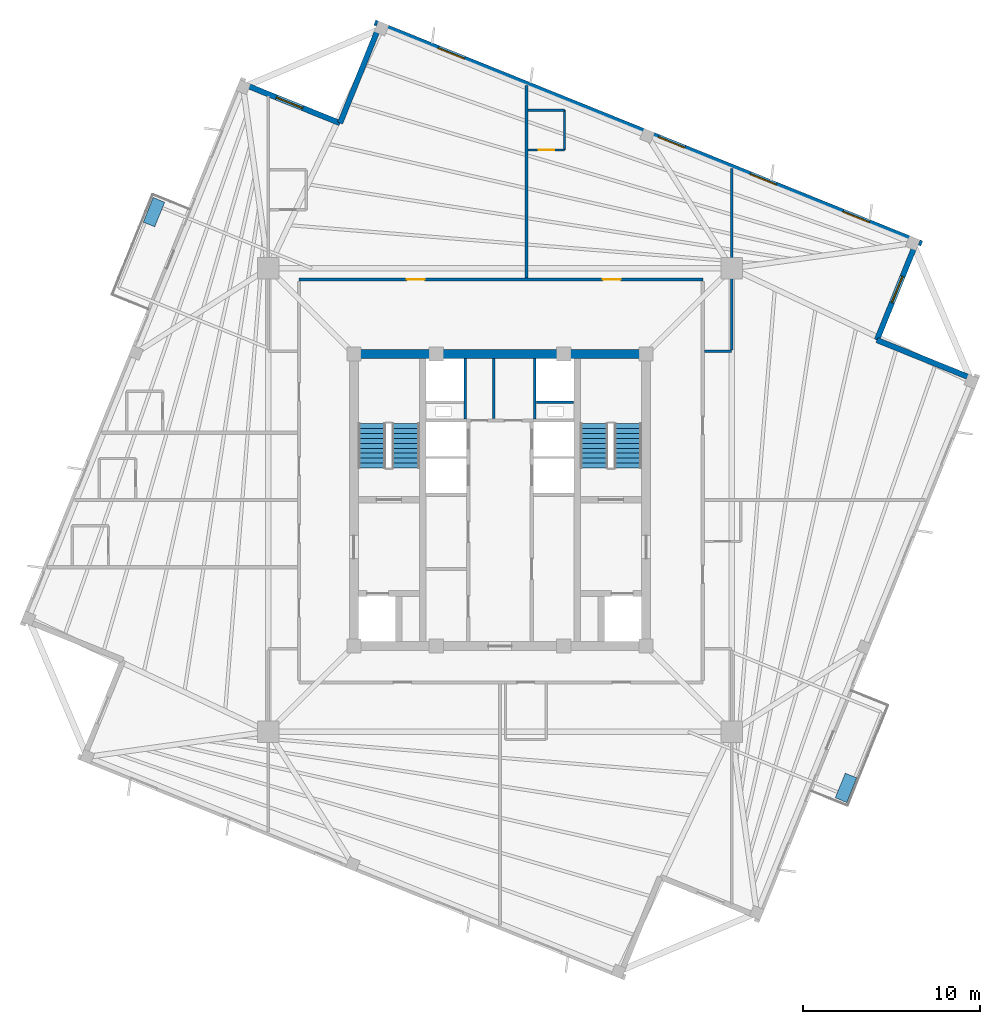
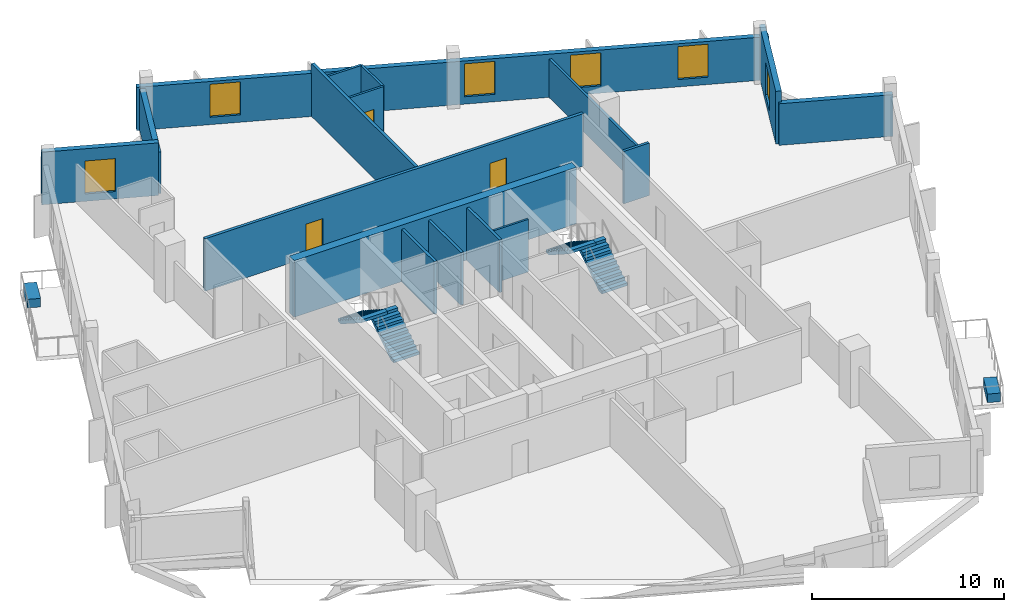
# One storey, part 5 of 8: 17 walls, 6 windows, 4 stair flights, 3 doors, 2 discrete accessories, 9 openings, 2 elements without a shape of their own.
"""IFC4 building model written with IfcOpenShell, lengths in metres."""

from ifc_helpers import new_model, si_unit, direction, frame, frame_2d, origin, origin_2d, place, context, subcontext, project, spatial, polyline, rectangle, outline, extrude, source, transform, mapped, material, layer, layer_set, type_object, element, fill, aggregate, save


model = new_model("IFC4")

# Units and contexts
model_context = context("Model", 3, precision=1e-05, world=origin(), true_north=direction((0.0, 1.0)))
body_context = subcontext(model_context, "Body", "Model", "MODEL_VIEW")
ifc_project = project(units=[si_unit("LENGTHUNIT", "METRE"), si_unit("AREAUNIT", "SQUARE_METRE"), si_unit("VOLUMEUNIT", "CUBIC_METRE"), si_unit("PLANEANGLEUNIT", "RADIAN"), si_unit("MASSUNIT", "GRAM", prefix="KILO"), si_unit("THERMODYNAMICTEMPERATUREUNIT", "KELVIN")], contexts=[model_context])

# Site, building, storey
site_placement = place(None, origin())
site = spatial("IfcSite", under=ifc_project, at=site_placement, CompositionType="ELEMENT")
building_placement = place(site_placement, origin())
building = spatial("IfcBuilding", under=site, at=building_placement, Name="Kosmvard Interchange Tower", CompositionType="ELEMENT")
storey_placement = place(building_placement, frame((0.0, 0.0, 294.0)))
storey = spatial("IfcBuildingStorey", under=building, at=storey_placement, Name="L72", CompositionType="ELEMENT", Elevation=294.0)

# Walls
ifc_material_1 = material(Name="Acoustic gypsum partition system")
ifc_layer_1 = layer(ifc_material_1, 0.14990234375, Name="Acoustic gypsum partition system")
ifc_layer_set_1 = layer_set([ifc_layer_1], Name="Acoustic gypsum partition system")
wall_type_1 = type_object("IfcWallType", Name="Acoustic Suite & Meeting Partition 150", PredefinedType="PARTITIONING", material=ifc_layer_set_1)
wall_1_placement = place(storey_placement, frame((11.544921875, 8.39990234375, 0.0), z_axis=(0.0, 0.0, 1.0), x_axis=(1.0, 0.0, 0.0)))
element("IfcWall", 1, at=wall_1_placement, inside=storey, type_object=wall_type_1, Name="L72 Room Partition 09.1", PredefinedType="PARTITIONING", context=body_context, shape_type="SweptSolid", body=[
    extrude(rectangle(XDim=1.5361328125, YDim=0.14990234375, at=frame_2d((0.76806640625, 0.0))), origin(), (0.0, 0.0, 1.0), 3.35009765625),
])
wall_2_placement = place(storey_placement, frame((13.0810546875, 8.47509765625, 0.0), z_axis=(0.0, 0.0, 1.0), x_axis=(0.0, 1.0, 0.0)))
element("IfcWall", 2, at=wall_2_placement, inside=storey, type_object=wall_type_1, Name="L72 Room Partition 10.1", PredefinedType="PARTITIONING", context=body_context, shape_type="SweptSolid", body=[
    extrude(rectangle(XDim=10.24267578125, YDim=0.14990234375, at=frame_2d((5.121337890625, 0.0))), origin(), (0.0, 0.0, 1.0), 2.449951171875),
])
ifc_material_2 = material(Name="Fire-rated gypsum partition system")
ifc_layer_2 = layer(ifc_material_2, 0.159912109375, Name="Fire-rated gypsum partition system")
ifc_layer_set_2 = layer_set([ifc_layer_2], Name="Fire-rated gypsum partition system")
wall_type_2 = type_object("IfcWallType", Name="Core Compartment & Shuttle Lobby Partition 160", PredefinedType="PARTITIONING", material=ifc_layer_set_2)
for number, where, z_axis, x_axis, name in (
    (3, (-1.9599609375, 4.580078125, 0.0), (0.0, 0.0, 1.0), (0.0, 1.0, 0.0), "L72 North Core West Wall"),
    (4, (1.9599609375, 4.580078125, 0.0), (0.0, 0.0, 1.0), (0.0, 1.0, 0.0), "L72 North Core East Wall"),
):
    element("IfcWall", number, at=place(storey_placement, frame(where, z_axis=z_axis, x_axis=x_axis)), inside=storey, type_object=wall_type_2, Name=name, PredefinedType="PARTITIONING", context=body_context, shape_type="SweptSolid", body=[
        extrude(rectangle(XDim=3.39990234375, YDim=0.159912109375, at=frame_2d((1.699951171875, 0.0))), origin(), (0.0, 0.0, 1.0), 3.35009765625),
    ])
ifc_material_3 = material(Name="Concrete blockwork masonry", Category="masonry")
ifc_layer_3 = layer(ifc_material_3, 0.159912109375, Name="Concrete blockwork masonry")
ifc_layer_set_3 = layer_set([ifc_layer_3], Name="Concrete blockwork masonry")
wall_type_3 = type_object("IfcWallType", Name="Core Enclosure Split Wall 160", PredefinedType="PARTITIONING", material=ifc_layer_set_3)
wall_3_placement = place(storey_placement, frame((-0.35009765625, 4.60009765625, 0.0), z_axis=(0.0, 0.0, 1.0), x_axis=(0.0, 1.0, 0.0)))
element("IfcWall", 5, at=wall_3_placement, inside=storey, type_object=wall_type_3, Name="L72 Core K2 Split Wall", PredefinedType="PARTITIONING", context=body_context, shape_type="SweptSolid", body=[
    extrude(rectangle(XDim=3.3798828125, YDim=0.159912109375, at=frame_2d((1.68994140625, 0.0))), origin(), (0.0, 0.0, 1.0), 3.35009765625),
])

# Wall, openings, doors
ifc_layer_4 = layer(ifc_material_2, 0.179931640625, Name="Fire-rated gypsum partition system")
ifc_layer_set_4 = layer_set([ifc_layer_4], Name="Fire-rated gypsum partition system")
wall_type_4 = type_object("IfcWallType", Name="Corridor & Hotel Compartment Partition 180", PredefinedType="PARTITIONING", material=ifc_layer_set_4)
wall_4_placement = place(storey_placement, frame((-11.35009765625, 12.449951171875, 0.0), z_axis=(0.0, 0.0, 1.0), x_axis=(1.0, 0.0, 0.0)))
wall_4 = element("IfcWall", 6, at=wall_4_placement, inside=storey, type_object=wall_type_4, Name="L72 Corridor Wall CN", PredefinedType="PARTITIONING", context=body_context, shape_type="SweptSolid", body=[
    extrude(rectangle(XDim=22.800048828125, YDim=0.179931640625, at=frame_2d((11.39990234375, 0.0))), origin(), (0.0, 0.0, 1.0), 3.35009765625),
])
opening_1_placement = place(wall_4_placement, frame((6.08935546875, 0.0, 0.0)))
opening_1 = element("IfcOpeningElement", 7, at=opening_1_placement, cuts=wall_4, Name="Opening L72-D06", PredefinedType="OPENING", context=body_context, shape_type="SweptSolid", body=[
    extrude(rectangle(XDim=1.0, YDim=2.14990234375, at=frame_2d((0.5, 1.074951171875))), frame((0.0, 0.10009765625, 0.0), z_axis=(0.0, -1.0, 0.0), x_axis=(1.0, 0.0, 0.0)), (0.0, 0.0, 1.0), 0.199951171875),
])
opening_2_placement = place(wall_4_placement, frame((17.16064453125, 0.0, 0.0)))
opening_2 = element("IfcOpeningElement", 8, at=opening_2_placement, cuts=wall_4, Name="Opening L72-D08", PredefinedType="OPENING", context=body_context, shape_type="SweptSolid", body=[
    extrude(rectangle(XDim=1.0, YDim=2.14990234375, at=frame_2d((0.5, 1.074951171875))), frame((0.0, 0.10009765625, 0.0), z_axis=(0.0, -1.0, 0.0), x_axis=(1.0, 0.0, 0.0)), (0.0, 0.0, 1.0), 0.199951171875),
])
ifc_material_4 = material(Name="Engineered oak fire-rated timber", Category="wood")
door_type_1 = type_object("IfcDoorType", Name="Hotel Guestroom Entrance Door 1000x2150 EI60", OperationType="NOTDEFINED", PredefinedType="DOOR", material=ifc_material_4)
shared_shape_1 = source(origin(), body_context, "Body", "SweptSolid", [
    extrude(rectangle(XDim=1.0, YDim=2.14990234375, at=frame_2d((0.5, 1.074951171875))), frame((0.0, 0.02490234375, 0.0), z_axis=(0.0, -1.0, 0.0), x_axis=(1.0, 0.0, 0.0)), (0.0, 0.0, 1.0), 0.050048828125),
])
door_1_placement = place(opening_1_placement, origin())
door_1 = element("IfcDoor", 9, at=door_1_placement, inside=storey, type_object=door_type_1, Name="L72 Hotel Executive Suite 3 Door", OperationType="SINGLE_SWING_RIGHT", OverallHeight=2.14990234375, OverallWidth=1.0, PredefinedType="DOOR", context=body_context, shape_type="MappedRepresentation", body=[
    mapped(shared_shape_1, transform((0.0, 0.0, 0.0), scale=1.0)),
])
fill(opening_1, door_1)
door_2_placement = place(opening_2_placement, origin())
door_2 = element("IfcDoor", 10, at=door_2_placement, inside=storey, type_object=door_type_1, Name="L72 Hotel South-East Corner Suite 4 Door", OperationType="SINGLE_SWING_RIGHT", OverallHeight=2.14990234375, OverallWidth=1.0, PredefinedType="DOOR", context=body_context, shape_type="MappedRepresentation", body=[
    mapped(shared_shape_1, transform((0.0, 0.0, 0.0), scale=1.0)),
])
fill(opening_2, door_2)

# Walls
wall_5_placement = place(storey_placement, frame((1.5, 12.544921875, 0.0), z_axis=(0.0, 0.0, 1.0), x_axis=(0.0, 1.0, 0.0)))
element("IfcWall", 11, at=wall_5_placement, inside=storey, type_object=wall_type_4, Name="L72 Room Partition 01.1", PredefinedType="PARTITIONING", context=body_context, shape_type="SweptSolid", body=[
    extrude(rectangle(XDim=10.851806640625, YDim=0.179931640625, at=frame_2d((5.42578125, 0.0))), origin(), (0.0, 0.0, 1.0), 3.35009765625),
])
ifc_material_5 = material(Name="Fire-rated gypsum shaftwall system")
ifc_layer_5 = layer(ifc_material_5, 0.1201171875, Name="Fire-rated gypsum shaftwall system")
ifc_layer_set_5 = layer_set([ifc_layer_5], Name="Fire-rated gypsum shaftwall system")
wall_type_5 = type_object("IfcWallType", Name="Shaft & Riser Fire Partition 120 EI60", PredefinedType="PARTITIONING", material=ifc_layer_set_5)
wall_6_placement = place(storey_placement, frame((2.06005859375, 5.52001953125, 0.0), z_axis=(0.0, 0.0, 1.0), x_axis=(1.0, 0.0, 0.0)))
element("IfcWall", 12, at=wall_6_placement, inside=storey, type_object=wall_type_5, Name="L72 Riser Shaft Divider E", PredefinedType="PARTITIONING", context=body_context, shape_type="SweptSolid", body=[
    extrude(rectangle(XDim=2.099853515625, YDim=0.1201171875, at=frame_2d((1.0498046875, 0.0))), origin(), (0.0, 0.0, 1.0), 3.35009765625),
])
ifc_material_6 = material(Name="Concrete C60/75", Category="concrete")
ifc_layer_6 = layer(ifc_material_6, 0.5, Name="Concrete C60/75")
ifc_layer_set_6 = layer_set([ifc_layer_6], Name="Concrete C60/75")
wall_type_6 = type_object("IfcWallType", Name="Upper Core Shear Wall 500 C60/75", PredefinedType="SHEAR", material=ifc_layer_set_6)
wall_7_placement = place(storey_placement, frame((-8.5, 8.25, 0.0), z_axis=(0.0, 0.0, 1.0), x_axis=(1.0, 0.0, 0.0)))
element("IfcWall", 13, at=wall_7_placement, inside=storey, type_object=wall_type_6, Name="L72 Core Shear Wall CW-N", PredefinedType="SHEAR", context=body_context, shape_type="SweptSolid", body=[
    extrude(rectangle(XDim=17.0, YDim=0.5, at=frame_2d((8.5, 0.0))), origin(), (0.0, 0.0, 1.0), 3.60009765625),
])
ifc_material_7 = material(Name="Precast concrete C45/55", Category="concrete")
ifc_layer_7 = layer(ifc_material_7, 0.31005859375, Name="Precast concrete C45/55")
ifc_layer_set_7 = layer_set([ifc_layer_7], Name="Precast concrete C45/55")
wall_type_7 = type_object("IfcWallType", Name="Upper Tower Precast Pier Wall 310 C45/55", PredefinedType="STANDARD", material=ifc_layer_set_7)
wall_8_placement = place(storey_placement, frame((26.8408203125, 6.7841796875, 0.0), z_axis=(0.0, 0.0, 1.0), x_axis=(-0.927171722085, 0.374636620962, 0.0)))
element("IfcWall", 14, at=wall_8_placement, inside=storey, type_object=wall_type_7, Name="L72 Precast Facade Wall N-SE1", PredefinedType="STANDARD", context=body_context, shape_type="SweptSolid", body=[
    extrude(rectangle(XDim=6.0, YDim=0.31005859375, at=frame_2d((3.0, 0.0))), origin(), (0.0, 0.0, 1.0), 2.64990234375),
])

# Wall, opening, window
wall_9_placement = place(storey_placement, frame((21.27783203125, 9.031982421875, 0.0), z_axis=(0.0, 0.0, 1.0), x_axis=(0.374602739196, 0.927185411764, 0.0)))
wall_9 = element("IfcWall", 15, at=wall_9_placement, inside=storey, type_object=wall_type_7, Name="L72 Precast Facade Wall N-SE2", PredefinedType="STANDARD", context=body_context, shape_type="SweptSolid", body=[
    extrude(rectangle(XDim=6.155029296875, YDim=0.31005859375, at=frame_2d((3.07763671875, 0.0))), origin(), (0.0, 0.0, 1.0), 3.35009765625),
])
opening_3_placement = place(wall_9_placement, frame((2.277587890625, 0.0, 0.469970703125)))
opening_3 = element("IfcOpeningElement", 16, at=opening_3_placement, cuts=wall_9, Name="Opening L72-W20", PredefinedType="OPENING", context=body_context, shape_type="SweptSolid", body=[
    extrude(rectangle(XDim=1.60009765625, YDim=2.10009765625, at=frame_2d((0.800048828125, 1.050048828125))), frame((0.0, 0.1650390625, 0.0), z_axis=(0.0, -1.0, 0.0), x_axis=(1.0, 0.0, 0.0)), (0.0, 0.0, 1.0), 0.330078125),
])
ifc_material_8 = material(Name="Low-E acoustic double glazing", Category="glass")
window_type = type_object("IfcWindowType", Name="Zone 5 Hotel Punched Window 1600x2100", PartitioningType="SINGLE_PANEL", PredefinedType="WINDOW", material=ifc_material_8)
shared_shape_2 = source(origin(), body_context, "Body", "SweptSolid", [
    extrude(rectangle(XDim=1.60009765625, YDim=2.10009765625, at=frame_2d((0.800048828125, 1.050048828125))), frame((0.0, 0.030029296875, 0.0), z_axis=(0.0, -1.0, 0.0), x_axis=(1.0, 0.0, 0.0)), (0.0, 0.0, 1.0), 0.06005859375),
])
window_1_placement = place(opening_3_placement, origin())
window_1 = element("IfcWindow", 17, at=window_1_placement, inside=storey, type_object=window_type, Name="L72 Corner Notch Window 20", OverallHeight=2.10009765625, OverallWidth=1.60009765625, PartitioningType="SINGLE_PANEL", PredefinedType="WINDOW", context=body_context, shape_type="MappedRepresentation", body=[
    mapped(shared_shape_2, transform((0.0, 0.0, 0.0), scale=1.0)),
])
fill(opening_3, window_1)

# Wall, openings, windows
wall_10_placement = place(storey_placement, frame((23.812744140625, 14.478759765625, 0.0), z_axis=(0.0, 0.0, 1.0), x_axis=(-0.927182657188, 0.374609557019, 0.0)))
wall_10 = element("IfcWall", 18, at=wall_10_placement, inside=storey, type_object=wall_type_7, Name="L72 Precast Facade Wall F-E", PredefinedType="STANDARD", context=body_context, shape_type="SweptSolid", body=[
    extrude(rectangle(XDim=33.31005859375, YDim=0.31005859375, at=frame_2d((16.655029296875, 0.0))), origin(), (0.0, 0.0, 1.0), 2.75),
])
opening_4_placement = place(wall_10_placement, frame((3.197265625, 0.0, 0.469970703125)))
opening_4 = element("IfcOpeningElement", 19, at=opening_4_placement, cuts=wall_10, Name="Opening L72-W06", PredefinedType="OPENING", context=body_context, shape_type="SweptSolid", body=[
    extrude(rectangle(XDim=1.60009765625, YDim=2.10009765625, at=frame_2d((0.800048828125, 1.050048828125))), frame((0.0, 0.1650390625, 0.0), z_axis=(0.0, -1.0, 0.0), x_axis=(1.0, 0.0, 0.0)), (0.0, 0.0, 1.0), 0.330078125),
])
opening_5_placement = place(wall_10_placement, frame((8.85986328125, 0.0, 0.469970703125)))
opening_5 = element("IfcOpeningElement", 20, at=opening_5_placement, cuts=wall_10, Name="Opening L72-W07", PredefinedType="OPENING", context=body_context, shape_type="SweptSolid", body=[
    extrude(rectangle(XDim=1.60009765625, YDim=2.10009765625, at=frame_2d((0.800048828125, 1.050048828125))), frame((0.0, 0.1650390625, 0.0), z_axis=(0.0, -1.0, 0.0), x_axis=(1.0, 0.0, 0.0)), (0.0, 0.0, 1.0), 0.330078125),
])
opening_6_placement = place(wall_10_placement, frame((14.438720703125, 0.0, 0.469970703125)))
opening_6 = element("IfcOpeningElement", 21, at=opening_6_placement, cuts=wall_10, Name="Opening L72-W08", PredefinedType="OPENING", context=body_context, shape_type="SweptSolid", body=[
    extrude(rectangle(XDim=1.60009765625, YDim=2.10009765625, at=frame_2d((0.800048828125, 1.050048828125))), frame((0.0, 0.1650390625, 0.0), z_axis=(0.0, -1.0, 0.0), x_axis=(1.0, 0.0, 0.0)), (0.0, 0.0, 1.0), 0.330078125),
])
opening_7_placement = place(wall_10_placement, frame((27.8466796875, 0.0, 0.469970703125)))
opening_7 = element("IfcOpeningElement", 22, at=opening_7_placement, cuts=wall_10, Name="Opening L72-W09", PredefinedType="OPENING", context=body_context, shape_type="SweptSolid", body=[
    extrude(rectangle(XDim=1.60009765625, YDim=2.10009765625, at=frame_2d((0.800048828125, 1.050048828125))), frame((0.0, 0.1650390625, 0.0), z_axis=(0.0, -1.0, 0.0), x_axis=(1.0, 0.0, 0.0)), (0.0, 0.0, 1.0), 0.330078125),
])
window_2_placement = place(opening_4_placement, origin())
window_2 = element("IfcWindow", 23, at=window_2_placement, inside=storey, type_object=window_type, Name="L72 Facade Punched Window 06", OverallHeight=2.10009765625, OverallWidth=1.60009765625, PartitioningType="SINGLE_PANEL", PredefinedType="WINDOW", context=body_context, shape_type="MappedRepresentation", body=[
    mapped(shared_shape_2, transform((0.0, 0.0, 0.0), scale=1.0)),
])
fill(opening_4, window_2)
window_3_placement = place(opening_5_placement, origin())
window_3 = element("IfcWindow", 24, at=window_3_placement, inside=storey, type_object=window_type, Name="L72 Facade Punched Window 07", OverallHeight=2.10009765625, OverallWidth=1.60009765625, PartitioningType="SINGLE_PANEL", PredefinedType="WINDOW", context=body_context, shape_type="MappedRepresentation", body=[
    mapped(shared_shape_2, transform((0.0, 0.0, 0.0), scale=1.0)),
])
fill(opening_5, window_3)
window_4_placement = place(opening_6_placement, origin())
window_4 = element("IfcWindow", 25, at=window_4_placement, inside=storey, type_object=window_type, Name="L72 Facade Punched Window 08", OverallHeight=2.10009765625, OverallWidth=1.60009765625, PartitioningType="SINGLE_PANEL", PredefinedType="WINDOW", context=body_context, shape_type="MappedRepresentation", body=[
    mapped(shared_shape_2, transform((0.0, 0.0, 0.0), scale=1.0)),
])
fill(opening_6, window_4)
window_5_placement = place(opening_7_placement, origin())
window_5 = element("IfcWindow", 26, at=window_5_placement, inside=storey, type_object=window_type, Name="L72 Facade Punched Window 09", OverallHeight=2.10009765625, OverallWidth=1.60009765625, PartitioningType="SINGLE_PANEL", PredefinedType="WINDOW", context=body_context, shape_type="MappedRepresentation", body=[
    mapped(shared_shape_2, transform((0.0, 0.0, 0.0), scale=1.0)),
])
fill(opening_7, window_5)

# Wall
wall_11_placement = place(storey_placement, frame((-6.7841796875, 26.8408203125, 0.0), z_axis=(0.0, 0.0, 1.0), x_axis=(-0.374636620962, -0.927171722085, 0.0)))
element("IfcWall", 27, at=wall_11_placement, inside=storey, type_object=wall_type_7, Name="L72 Precast Facade Wall N-NE1", PredefinedType="STANDARD", context=body_context, shape_type="SweptSolid", body=[
    extrude(rectangle(XDim=6.0, YDim=0.31005859375, at=frame_2d((3.0, 0.0))), origin(), (0.0, 0.0, 1.0), 2.64990234375),
])

# Wall, opening, window
wall_12_placement = place(storey_placement, frame((-9.031982421875, 21.27783203125, 0.0), z_axis=(0.0, 0.0, 1.0), x_axis=(-0.927185411764, 0.374602739196, 0.0)))
wall_12 = element("IfcWall", 28, at=wall_12_placement, inside=storey, type_object=wall_type_7, Name="L72 Precast Facade Wall N-NE2", PredefinedType="STANDARD", context=body_context, shape_type="SweptSolid", body=[
    extrude(rectangle(XDim=6.155029296875, YDim=0.31005859375, at=frame_2d((3.07763671875, 0.0))), origin(), (0.0, 0.0, 1.0), 3.35009765625),
])
opening_8_placement = place(wall_12_placement, frame((2.277587890625, 0.0, 0.469970703125)))
opening_8 = element("IfcOpeningElement", 29, at=opening_8_placement, cuts=wall_12, Name="Opening L72-W21", PredefinedType="OPENING", context=body_context, shape_type="SweptSolid", body=[
    extrude(rectangle(XDim=1.60009765625, YDim=2.10009765625, at=frame_2d((0.800048828125, 1.050048828125))), frame((0.0, 0.1650390625, 0.0), z_axis=(0.0, -1.0, 0.0), x_axis=(1.0, 0.0, 0.0)), (0.0, 0.0, 1.0), 0.330078125),
])
window_6_placement = place(opening_8_placement, origin())
window_6 = element("IfcWindow", 30, at=window_6_placement, inside=storey, type_object=window_type, Name="L72 Corner Notch Window 21", OverallHeight=2.10009765625, OverallWidth=1.60009765625, PartitioningType="SINGLE_PANEL", PredefinedType="WINDOW", context=body_context, shape_type="MappedRepresentation", body=[
    mapped(shared_shape_2, transform((0.0, 0.0, 0.0), scale=1.0)),
])
fill(opening_8, window_6)

# Wall, opening, door
ifc_material_9 = material(Name="Moisture-resistant gypsum partition")
ifc_layer_8 = layer(ifc_material_9, 0.135009765625, Name="Moisture-resistant gypsum partition")
ifc_layer_set_8 = layer_set([ifc_layer_8], Name="Moisture-resistant gypsum partition")
wall_type_8 = type_object("IfcWallType", Name="Wet Room Moisture-Resistant Partition 135", PredefinedType="PARTITIONING", material=ifc_layer_set_8)
wall_13_placement = place(storey_placement, frame((1.590087890625, 19.763427734375, 0.0), z_axis=(0.0, 0.0, 1.0), x_axis=(1.0, 0.0, 0.0)))
wall_13 = element("IfcWall", 31, at=wall_13_placement, inside=storey, type_object=wall_type_8, Name="L72 En-Suite Partition HPS4-S", PredefinedType="PARTITIONING", context=body_context, shape_type="SweptSolid", body=[
    extrude(rectangle(XDim=2.0498046875, YDim=0.135009765625, at=frame_2d((1.02490234375, 0.0))), origin(), (0.0, 0.0, 1.0), 3.35009765625),
])
opening_9_placement = place(wall_13_placement, frame((0.5849609375, 0.0, 0.0)))
opening_9 = element("IfcOpeningElement", 32, at=opening_9_placement, cuts=wall_13, Name="Opening L72-ED09", PredefinedType="OPENING", context=body_context, shape_type="SweptSolid", body=[
    extrude(rectangle(XDim=0.8798828125, YDim=2.10009765625, at=frame_2d((0.43994140625, 1.050048828125))), frame((0.0, 0.07763671875, 0.0), z_axis=(0.0, -1.0, 0.0), x_axis=(1.0, 0.0, 0.0)), (0.0, 0.0, 1.0), 0.155029296875),
])
ifc_material_10 = material(Name="Laminated moisture-resistant timber", Category="wood")
door_type_2 = type_object("IfcDoorType", Name="En-Suite & Washroom Door 880x2100", OperationType="NOTDEFINED", PredefinedType="DOOR", material=ifc_material_10)
shared_shape_3 = source(origin(), body_context, "Body", "SweptSolid", [
    extrude(rectangle(XDim=0.8798828125, YDim=2.10009765625, at=frame_2d((0.43994140625, 1.050048828125))), frame((0.0, 0.02490234375, 0.0), z_axis=(0.0, -1.0, 0.0), x_axis=(1.0, 0.0, 0.0)), (0.0, 0.0, 1.0), 0.050048828125),
])
door_3_placement = place(opening_9_placement, origin())
door_3 = element("IfcDoor", 33, at=door_3_placement, inside=storey, type_object=door_type_2, Name="L72 HPS4 En-Suite Door", OperationType="SINGLE_SWING_RIGHT", OverallHeight=2.10009765625, OverallWidth=0.8798828125, PredefinedType="DOOR", context=body_context, shape_type="MappedRepresentation", body=[
    mapped(shared_shape_3, transform((0.0, 0.0, 0.0), scale=1.0)),
])
fill(opening_9, door_3)

# Walls
wall_14_placement = place(storey_placement, frame((3.639892578125, 19.763427734375, 0.0), z_axis=(0.0, 0.0, 1.0), x_axis=(0.0, 1.0, 0.0)))
element("IfcWall", 34, at=wall_14_placement, inside=storey, type_object=wall_type_8, Name="L72 En-Suite Partition HPS4-E", PredefinedType="PARTITIONING", context=body_context, shape_type="SweptSolid", body=[
    extrude(rectangle(XDim=2.25, YDim=0.135009765625, at=frame_2d((1.125, 0.0))), origin(), (0.0, 0.0, 1.0), 3.35009765625),
])
wall_15_placement = place(storey_placement, frame((1.590087890625, 22.013427734375, 0.0), z_axis=(0.0, 0.0, 1.0), x_axis=(1.0, 0.0, 0.0)))
element("IfcWall", 35, at=wall_15_placement, inside=storey, type_object=wall_type_8, Name="L72 En-Suite Partition HPS4-N", PredefinedType="PARTITIONING", context=body_context, shape_type="SweptSolid", body=[
    extrude(rectangle(XDim=2.0498046875, YDim=0.135009765625, at=frame_2d((1.02490234375, 0.0))), origin(), (0.0, 0.0, 1.0), 3.35009765625),
])

# Stair, stair flights
ifc_material_11 = material(Name="Concrete C50/60", Category="concrete")
stair_type = type_object("IfcStairType", Name="Dog-Leg Core Exit Stair H3600 C50/60", PredefinedType="HALF_TURN_STAIR", material=ifc_material_11)
stair_1_placement = place(storey_placement, origin())
stair_1 = element("IfcStair", 36, at=stair_1_placement, inside=storey, type_object=stair_type, Name="L72 Protected Exit Stair ST-1", PredefinedType="HALF_TURN_STAIR")
stair_flight_type = type_object("IfcStairFlightType", Name="Core Stair Flight W1550 H3600 C50/60", PredefinedType="STRAIGHT", material=ifc_material_11)
shared_shape_4 = source(origin(), body_context, "Body", "SweptSolid", [
    extrude(outline(polyline([(0.0, 0.0), (0.0, 0.179931640625), (0.280029296875, 0.179931640625), (0.280029296875, 0.360107421875), (0.56005859375, 0.360107421875), (0.56005859375, 0.5400390625), (0.840087890625, 0.5400390625), (0.840087890625, 0.719970703125), (1.1201171875, 0.719970703125), (1.1201171875, 0.89990234375), (1.39990234375, 0.89990234375), (1.39990234375, 1.080078125), (1.679931640625, 1.080078125), (1.679931640625, 1.260009765625), (1.9599609375, 1.260009765625), (1.9599609375, 1.43994140625), (2.239990234375, 1.43994140625), (2.239990234375, 1.6201171875), (2.52001953125, 1.6201171875), (2.52001953125, 1.800048828125), (2.52001953125, 1.429931640625), (0.295654296875, 0.0), (0.0, 0.0)])), frame((0.0, 0.77490234375, 0.0), z_axis=(0.0, -1.0, 0.0), x_axis=(1.0, 0.0, 0.0)), (0.0, 0.0, 1.0), 1.550048828125),
])
stair_flight_1_placement = place(storey_placement, frame((-5.31494140625, 1.800048828125, 0.0), z_axis=(0.0, 0.0, 1.0), x_axis=(0.0, 1.0, 0.0)))
stair_flight_1 = element("IfcStairFlight", 37, at=stair_flight_1_placement, type_object=stair_flight_type, Name="ST-1 flight 1", NumberOfRisers=10, NumberOfTreads=9, PredefinedType="STRAIGHT", RiserHeight=0.18, TreadLength=0.28, context=body_context, shape_type="MappedRepresentation", body=[
    mapped(shared_shape_4, transform((0.0, 0.0, 0.0), scale=1.0)),
])
stair_flight_2_placement = place(storey_placement, frame((-7.22509765625, 4.320068359375, 1.800048828125), z_axis=(0.0, 0.0, 1.0), x_axis=(0.0, -1.0, 0.0)))
stair_flight_2 = element("IfcStairFlight", 38, at=stair_flight_2_placement, type_object=stair_flight_type, Name="ST-1 flight 2", NumberOfRisers=10, NumberOfTreads=9, PredefinedType="STRAIGHT", RiserHeight=0.18, TreadLength=0.28, context=body_context, shape_type="MappedRepresentation", body=[
    mapped(shared_shape_4, transform((0.0, 0.0, 0.0), scale=1.0)),
])
aggregate(stair_1, [stair_flight_1, stair_flight_2])

stair_2_placement = place(storey_placement, origin())
stair_2 = element("IfcStair", 39, at=stair_2_placement, inside=storey, type_object=stair_type, Name="L72 Protected Exit Stair ST-2", PredefinedType="HALF_TURN_STAIR")
stair_flight_3_placement = place(storey_placement, frame((7.22509765625, 1.800048828125, 0.0), z_axis=(0.0, 0.0, 1.0), x_axis=(0.0, 1.0, 0.0)))
stair_flight_3 = element("IfcStairFlight", 40, at=stair_flight_3_placement, type_object=stair_flight_type, Name="ST-2 flight 1", NumberOfRisers=10, NumberOfTreads=9, PredefinedType="STRAIGHT", RiserHeight=0.18, TreadLength=0.28, context=body_context, shape_type="MappedRepresentation", body=[
    mapped(shared_shape_4, transform((0.0, 0.0, 0.0), scale=1.0)),
])
stair_flight_4_placement = place(storey_placement, frame((5.31494140625, 4.320068359375, 1.800048828125), z_axis=(0.0, 0.0, 1.0), x_axis=(0.0, -1.0, 0.0)))
stair_flight_4 = element("IfcStairFlight", 41, at=stair_flight_4_placement, type_object=stair_flight_type, Name="ST-2 flight 2", NumberOfRisers=10, NumberOfTreads=9, PredefinedType="STRAIGHT", RiserHeight=0.18, TreadLength=0.28, context=body_context, shape_type="MappedRepresentation", body=[
    mapped(shared_shape_4, transform((0.0, 0.0, 0.0), scale=1.0)),
])
aggregate(stair_2, [stair_flight_3, stair_flight_4])

# Discrete accessories
ifc_material_12 = material(Name="Terracotta precast planter concrete C45/55", Category="masonry")
discrete_accessory_type = type_object("IfcDiscreteAccessoryType", Name="Precast Tree-Balcony & Terrace Planter Box", PredefinedType="USERDEFINED", material=ifc_material_12)
shared_shape_5 = source(origin(), body_context, "Body", "SweptSolid", [
    extrude(rectangle(XDim=1.5, YDim=0.699951171875, at=origin_2d()), origin(), (0.0, 0.0, 1.0), 0.550048828125),
])
for number, where, z_axis, x_axis, name in (
    (42, (19.53466796875, -16.251220703125, 0.0), (0.0, 0.0, 1.0), (0.374606593416, 0.927183854567, 0.0), "L72 Balcony Tree Planter BAL-L72-S"),
    (43, (-19.53466796875, 16.251220703125, 0.0), (0.0, 0.0, 1.0), (0.374606593416, 0.927183854567, 0.0), "L72 Balcony Tree Planter BAL-L72-N"),
):
    element("IfcDiscreteAccessory", number, at=place(storey_placement, frame(where, z_axis=z_axis, x_axis=x_axis)), inside=storey, type_object=discrete_accessory_type, Name=name, ObjectType="PLANTER", PredefinedType="USERDEFINED", context=body_context, shape_type="MappedRepresentation", body=[
        mapped(shared_shape_5, transform((0.0, 0.0, 0.0), scale=1.0)),
    ])

save(model, "model.ifc")
